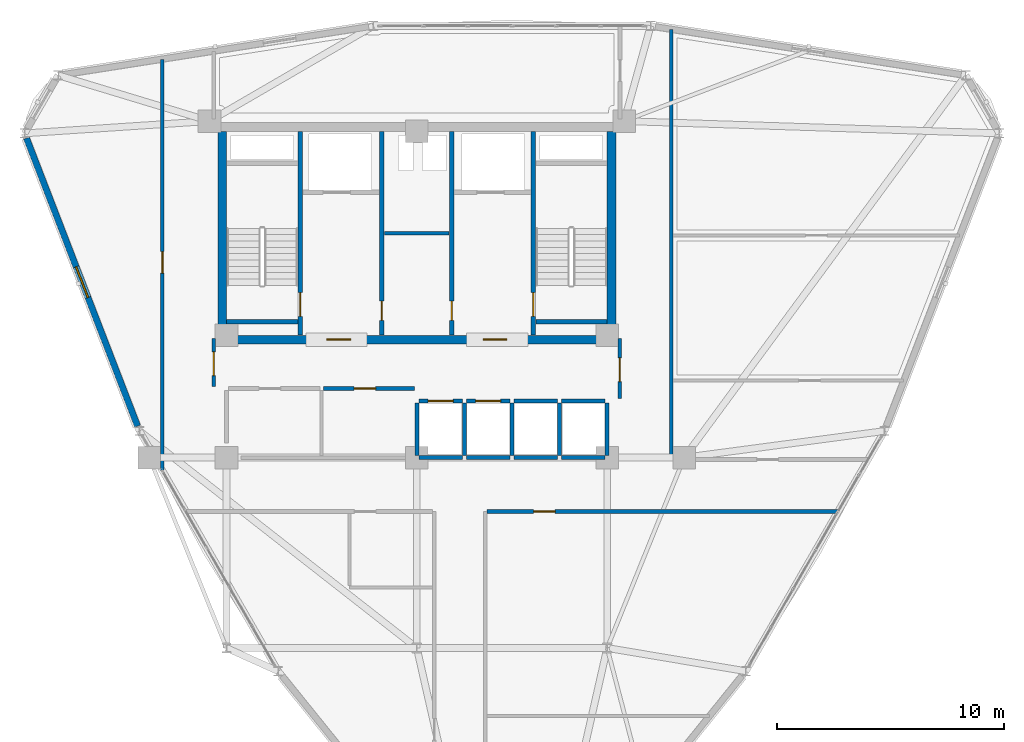
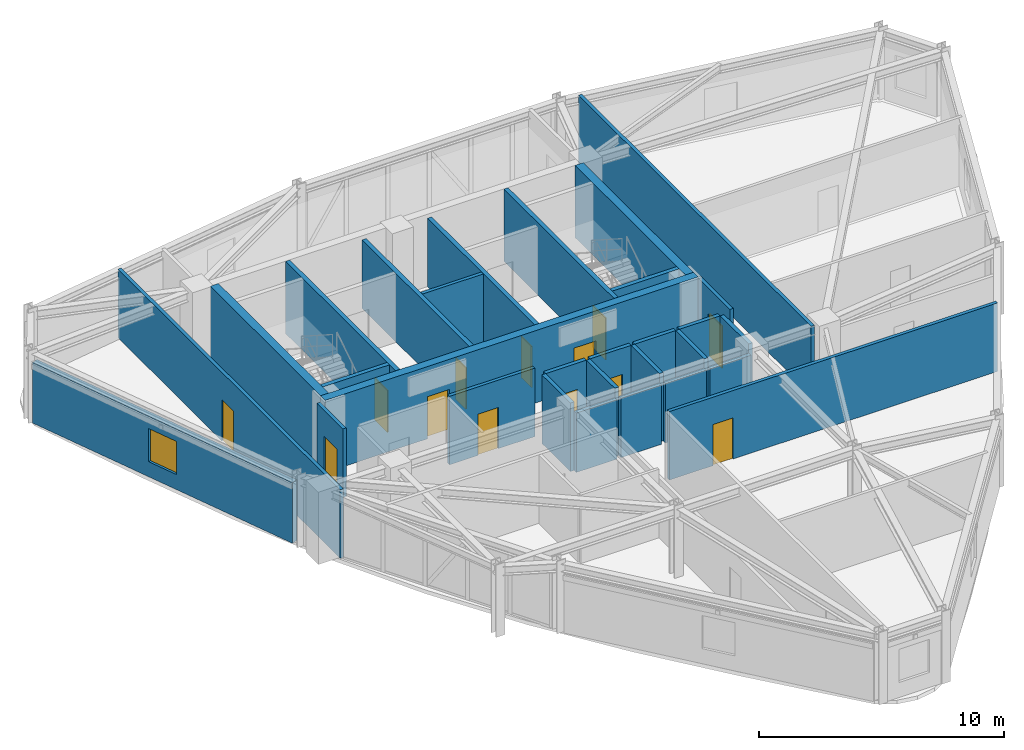
# One storey, part 13 of 16: 30 walls, 13 doors, 1 window, 14 openings.
"""IFC4 building model written with IfcOpenShell, lengths in metres."""

from ifc_helpers import new_model, si_unit, derived_unit, direction, frame, frame_2d, origin, place, context, subcontext, project, spatial, rectangle, extrude, material, layer, layer_set, type_object, element, fill, save


model = new_model("IFC4")

# Units and contexts
model_context = context("Model", 3, precision=1e-05, world=origin(), true_north=direction((0.0, 1.0)))
body_context = subcontext(model_context, "Body", "Model", "MODEL_VIEW")
ifc_project = project(units=[si_unit("LENGTHUNIT", "METRE"), si_unit("AREAUNIT", "SQUARE_METRE"), si_unit("VOLUMEUNIT", "CUBIC_METRE"), si_unit("PLANEANGLEUNIT", "RADIAN"), si_unit("MASSUNIT", "GRAM", prefix="KILO"), derived_unit("THERMALTRANSMITTANCEUNIT", [(si_unit("POWERUNIT", "WATT"), 1), (si_unit("LENGTHUNIT", "METRE"), -2), (si_unit("THERMODYNAMICTEMPERATUREUNIT", "KELVIN"), -1)])], contexts=[model_context])

# Site, building, storey
site_placement = place(None, origin())
site = spatial("IfcSite", under=ifc_project, at=site_placement, CompositionType="ELEMENT")
building_placement = place(site_placement, origin())
building = spatial("IfcBuilding", under=site, at=building_placement, Name="Korsvarv Bourse and Concert Hall", CompositionType="ELEMENT")
storey_placement = place(building_placement, frame((0.0, 0.0, 220.199951171875)))
storey = spatial("IfcBuildingStorey", under=building, at=storey_placement, Name="L57", CompositionType="ELEMENT", Elevation=220.199951171875)

# Wall, openings, doors
ifc_material_1 = material(Name="Concrete C50/60", Category="concrete")
ifc_layer_1 = layer(ifc_material_1, 0.3798828125)
ifc_layer_set_1 = layer_set([ifc_layer_1], Name="Concrete C50/60")
wall_type_1 = type_object("IfcWallType", Name="WL-CORE-380", PredefinedType="SHEAR", material=ifc_layer_set_1)
wall_1_placement = place(storey_placement, frame((27.219970703125, 37.610107421875, 0.0), z_axis=(0.0, 0.0, 1.0), x_axis=(1.0, 0.0, 0.0)))
wall_1 = element("IfcWall", 1, at=wall_1_placement, inside=storey, type_object=wall_type_1, Name="L57 South Core Shear Wall", PredefinedType="SHEAR", context=body_context, shape_type="SweptSolid", body=[
    extrude(rectangle(XDim=17.56005859375, YDim=0.3798828125, at=frame_2d((8.780029296875, 0.0))), origin(), (0.0, 0.0, 1.0), 3.60009765625),
])
opening_1_placement = place(wall_1_placement, frame((4.804931640625, 0.0, 0.0)))
opening_1 = element("IfcOpeningElement", 2, at=opening_1_placement, cuts=wall_1, Name="Opening D-01", PredefinedType="OPENING", context=body_context, shape_type="SweptSolid", body=[
    extrude(rectangle(XDim=1.050048828125, YDim=2.10009765625, at=frame_2d((0.52490234375, 1.050048828125))), frame((0.0, 0.199951171875, 0.0), z_axis=(0.0, -1.0, 0.0), x_axis=(1.0, 0.0, 0.0)), (0.0, 0.0, 1.0), 0.39990234375),
])
opening_2_placement = place(wall_1_placement, frame((11.705078125, 0.0, 0.0)))
opening_2 = element("IfcOpeningElement", 3, at=opening_2_placement, cuts=wall_1, Name="Opening D-01", PredefinedType="OPENING", context=body_context, shape_type="SweptSolid", body=[
    extrude(rectangle(XDim=1.050048828125, YDim=2.10009765625, at=frame_2d((0.52490234375, 1.050048828125))), frame((0.0, 0.199951171875, 0.0), z_axis=(0.0, -1.0, 0.0), x_axis=(1.0, 0.0, 0.0)), (0.0, 0.0, 1.0), 0.39990234375),
])
ifc_material_2 = material(Name="Steel S355 fire door", Category="steel")
door_type_1 = type_object("IfcDoorType", Name="DR-FD60", OperationType="NOTDEFINED", PredefinedType="DOOR", material=ifc_material_2)
door_1_placement = place(opening_1_placement, frame((1.050048828125, 0.0, 0.0), z_axis=(0.0, 0.0, 1.0), x_axis=(-1.0, 0.0, 0.0)))
door_1 = element("IfcDoor", 4, at=door_1_placement, inside=storey, type_object=door_type_1, Name="L57 firefighting lobby fire door DR-L57-FFLW", OperationType="SINGLE_SWING_LEFT", OverallHeight=2.10009765625, OverallWidth=1.050048828125, PredefinedType="DOOR", context=body_context, shape_type="SweptSolid", body=[
    extrude(rectangle(XDim=1.050048828125, YDim=2.10009765625, at=frame_2d((0.52490234375, 1.050048828125))), frame((0.0, 0.02490234375, 0.0), z_axis=(0.0, -1.0, 0.0), x_axis=(1.0, 0.0, 0.0)), (0.0, 0.0, 1.0), 0.050048828125),
])
fill(opening_1, door_1)
door_2_placement = place(opening_2_placement, frame((1.050048828125, 0.0, 0.0), z_axis=(0.0, 0.0, 1.0), x_axis=(-1.0, 0.0, 0.0)))
door_2 = element("IfcDoor", 5, at=door_2_placement, inside=storey, type_object=door_type_1, Name="L57 firefighting lobby fire door DR-L57-FFLE", OperationType="SINGLE_SWING_RIGHT", OverallHeight=2.10009765625, OverallWidth=1.050048828125, PredefinedType="DOOR", context=body_context, shape_type="SweptSolid", body=[
    extrude(rectangle(XDim=1.050048828125, YDim=2.10009765625, at=frame_2d((0.52490234375, 1.050048828125))), frame((0.0, 0.02490234375, 0.0), z_axis=(0.0, -1.0, 0.0), x_axis=(1.0, 0.0, 0.0)), (0.0, 0.0, 1.0), 0.050048828125),
])
fill(opening_2, door_2)

# Walls
for number, where, z_axis, x_axis, name in (
    (6, (27.409912109375, 37.800048828125, 0.0), (0.0, 0.0, 1.0), (0.0, 1.0, 0.0), "L57 West Core Shear Wall"),
    (7, (44.590087890625, 37.800048828125, 0.0), (0.0, 0.0, 1.0), (0.0, 1.0, 0.0), "L57 East Core Shear Wall"),
):
    element("IfcWall", number, at=place(storey_placement, frame(where, z_axis=z_axis, x_axis=x_axis)), inside=storey, type_object=wall_type_1, Name=name, PredefinedType="SHEAR", context=body_context, shape_type="SweptSolid", body=[
        extrude(rectangle(XDim=9.0, YDim=0.3798828125, at=frame_2d((4.5, 0.0))), origin(), (0.0, 0.0, 1.0), 3.60009765625),
    ])

# Wall, opening, door
wall_2_placement = place(storey_placement, frame((30.860107421875, 37.81005859375, 0.0), z_axis=(0.0, 0.0, 1.0), x_axis=(0.0, 1.0, 0.0)))
wall_2 = element("IfcWall", 8, at=wall_2_placement, inside=storey, type_object=wall_type_1, Name="L57 stair shaft structural wall W-L57-ST1-E", PredefinedType="SHEAR", context=body_context, shape_type="SweptSolid", body=[
    extrude(rectangle(XDim=8.97998046875, YDim=0.199951171875, at=frame_2d((4.489990234375, 0.0))), origin(), (0.0, 0.0, 1.0), 3.60009765625),
])
opening_3_placement = place(wall_2_placement, frame((0.820068359375, 0.0, 0.0)))
opening_3 = element("IfcOpeningElement", 9, at=opening_3_placement, cuts=wall_2, Name="Opening D-01", PredefinedType="OPENING", context=body_context, shape_type="SweptSolid", body=[
    extrude(rectangle(XDim=1.050048828125, YDim=2.10009765625, at=frame_2d((0.52490234375, 1.050048828125))), frame((0.0, 0.10986328125, 0.0), z_axis=(0.0, -1.0, 0.0), x_axis=(1.0, 0.0, 0.0)), (0.0, 0.0, 1.0), 0.219970703125),
])
door_3_placement = place(opening_3_placement, origin())
door_3 = element("IfcDoor", 10, at=door_3_placement, inside=storey, type_object=door_type_1, Name="L57 interior door DR-L57-ST1", OperationType="SINGLE_SWING_RIGHT", OverallHeight=2.10009765625, OverallWidth=1.050048828125, PredefinedType="DOOR", context=body_context, shape_type="SweptSolid", body=[
    extrude(rectangle(XDim=1.050048828125, YDim=2.10009765625, at=frame_2d((0.52490234375, 1.050048828125))), frame((0.0, 0.02490234375, 0.0), z_axis=(0.0, -1.0, 0.0), x_axis=(1.0, 0.0, 0.0)), (0.0, 0.0, 1.0), 0.050048828125),
])
fill(opening_3, door_3)

# Wall
wall_3_placement = place(storey_placement, frame((27.610107421875, 38.39990234375, 0.0), z_axis=(0.0, 0.0, 1.0), x_axis=(1.0, 0.0, 0.0)))
element("IfcWall", 11, at=wall_3_placement, inside=storey, type_object=wall_type_1, Name="L57 stair shaft structural wall W-L57-ST1-S", PredefinedType="SHEAR", context=body_context, shape_type="SweptSolid", body=[
    extrude(rectangle(XDim=3.139892578125, YDim=0.199951171875, at=frame_2d((1.56982421875, 0.0))), origin(), (0.0, 0.0, 1.0), 3.60009765625),
])

# Wall, opening, door
wall_4_placement = place(storey_placement, frame((41.139892578125, 37.81005859375, 0.0), z_axis=(0.0, 0.0, 1.0), x_axis=(0.0, 1.0, 0.0)))
wall_4 = element("IfcWall", 12, at=wall_4_placement, inside=storey, type_object=wall_type_1, Name="L57 stair shaft structural wall W-L57-ST2-W", PredefinedType="SHEAR", context=body_context, shape_type="SweptSolid", body=[
    extrude(rectangle(XDim=8.97998046875, YDim=0.199951171875, at=frame_2d((4.489990234375, 0.0))), origin(), (0.0, 0.0, 1.0), 3.60009765625),
])
opening_4_placement = place(wall_4_placement, frame((0.820068359375, 0.0, 0.0)))
opening_4 = element("IfcOpeningElement", 13, at=opening_4_placement, cuts=wall_4, Name="Opening D-01", PredefinedType="OPENING", context=body_context, shape_type="SweptSolid", body=[
    extrude(rectangle(XDim=1.050048828125, YDim=2.10009765625, at=frame_2d((0.52490234375, 1.050048828125))), frame((0.0, 0.10986328125, 0.0), z_axis=(0.0, -1.0, 0.0), x_axis=(1.0, 0.0, 0.0)), (0.0, 0.0, 1.0), 0.219970703125),
])
door_4_placement = place(opening_4_placement, frame((1.050048828125, 0.0, 0.0), z_axis=(0.0, 0.0, 1.0), x_axis=(-1.0, 0.0, 0.0)))
door_4 = element("IfcDoor", 14, at=door_4_placement, inside=storey, type_object=door_type_1, Name="L57 interior door DR-L57-ST2", OperationType="SINGLE_SWING_LEFT", OverallHeight=2.10009765625, OverallWidth=1.050048828125, PredefinedType="DOOR", context=body_context, shape_type="SweptSolid", body=[
    extrude(rectangle(XDim=1.050048828125, YDim=2.10009765625, at=frame_2d((0.52490234375, 1.050048828125))), frame((0.0, 0.02490234375, 0.0), z_axis=(0.0, -1.0, 0.0), x_axis=(1.0, 0.0, 0.0)), (0.0, 0.0, 1.0), 0.050048828125),
])
fill(opening_4, door_4)

# Wall
wall_5_placement = place(storey_placement, frame((41.25, 38.39990234375, 0.0), z_axis=(0.0, 0.0, 1.0), x_axis=(1.0, 0.0, 0.0)))
element("IfcWall", 15, at=wall_5_placement, inside=storey, type_object=wall_type_1, Name="L57 stair shaft structural wall W-L57-ST2-S", PredefinedType="SHEAR", context=body_context, shape_type="SweptSolid", body=[
    extrude(rectangle(XDim=3.139892578125, YDim=0.199951171875, at=frame_2d((1.56982421875, 0.0))), origin(), (0.0, 0.0, 1.0), 3.60009765625),
])

# Wall, opening, window
ifc_material_3 = material(Name="Precast concrete C45/55 with fluted terracotta pier", Category="concrete")
ifc_layer_2 = layer(ifc_material_3, 0.280029296875)
ifc_layer_set_2 = layer_set([ifc_layer_2], Name="Precast concrete C45/55 with fluted terracotta pier")
wall_type_2 = type_object("IfcWallType", Name="WL-EXT-TC2", PredefinedType="SOLIDWALL", material=ifc_layer_set_2)
wall_6_placement = place(storey_placement, frame((18.775146484375, 46.495361328125, 0.0), z_axis=(0.0, 0.0, 1.0), x_axis=(0.359956541612, -0.93296907138, 0.0)))
wall_6 = element("IfcWall", 16, at=wall_6_placement, inside=storey, type_object=wall_type_2, Name="L57 terracotta exterior wall EW-L57-B06", PredefinedType="SOLIDWALL", context=body_context, shape_type="SweptSolid", body=[
    extrude(rectangle(XDim=13.621337890625, YDim=0.280029296875, at=frame_2d((6.810546875, 0.0))), origin(), (0.0, 0.0, 1.0), 3.02001953125),
])
opening_5_placement = place(wall_6_placement, frame((6.085693359375, 0.0, 0.75)))
opening_5 = element("IfcOpeningElement", 17, at=opening_5_placement, cuts=wall_6, Name="Opening W-02", PredefinedType="OPENING", context=body_context, shape_type="SweptSolid", body=[
    extrude(rectangle(XDim=1.449951171875, YDim=1.64990234375, at=frame_2d((0.72509765625, 0.824951171875))), frame((0.0, 0.14990234375, 0.0), z_axis=(0.0, -1.0, 0.0), x_axis=(1.0, 0.0, 0.0)), (0.0, 0.0, 1.0), 0.300048828125),
])
ifc_material_4 = material(Name="Thermally broken aluminium frame with triple low-E glass", Category="glass")
window_type = type_object("IfcWindowType", Name="WIN-TW2", PartitioningType="SINGLE_PANEL", PredefinedType="WINDOW", material=ifc_material_4)
window_placement = place(opening_5_placement, origin())
window = element("IfcWindow", 18, at=window_placement, inside=storey, type_object=window_type, Name="L57 punched facade window W-02", OverallHeight=1.64990234375, OverallWidth=1.449951171875, PartitioningType="SINGLE_PANEL", PredefinedType="WINDOW", context=body_context, shape_type="SweptSolid", body=[
    extrude(rectangle(XDim=1.449951171875, YDim=1.64990234375, at=frame_2d((0.72509765625, 0.824951171875))), frame((0.0, 0.030029296875, 0.0), z_axis=(0.0, -1.0, 0.0), x_axis=(1.0, 0.0, 0.0)), (0.0, 0.0, 1.0), 0.06005859375),
])
fill(opening_5, window)

# Wall, opening, door
ifc_material_5 = material(Name="Reinforced concrete blockwork C35/45 fire wall", Category="concrete")
ifc_layer_3 = layer(ifc_material_5, 0.199951171875)
ifc_layer_set_3 = layer_set([ifc_layer_3], Name="Reinforced concrete blockwork C35/45 fire wall")
wall_type_3 = type_object("IfcWallType", Name="WL-INT-EI120", PredefinedType="PARTITIONING", material=ifc_layer_set_3)
wall_7_placement = place(storey_placement, frame((34.4599609375, 37.81005859375, 0.0), z_axis=(0.0, 0.0, 1.0), x_axis=(0.0, 1.0, 0.0)))
wall_7 = element("IfcWall", 19, at=wall_7_placement, inside=storey, type_object=wall_type_3, Name="L57 interior partition wall W-L57-CSB-W", PredefinedType="PARTITIONING", context=body_context, shape_type="SweptSolid", body=[
    extrude(rectangle(XDim=8.97998046875, YDim=0.199951171875, at=frame_2d((4.489990234375, 0.0))), origin(), (0.0, 0.0, 1.0), 3.41015625),
])
opening_6_placement = place(wall_7_placement, frame((0.64990234375, 0.0, 0.0)))
opening_6 = element("IfcOpeningElement", 20, at=opening_6_placement, cuts=wall_7, Name="Opening D-05", PredefinedType="OPENING", context=body_context, shape_type="SweptSolid", body=[
    extrude(rectangle(XDim=0.85009765625, YDim=2.050048828125, at=frame_2d((0.425048828125, 1.02490234375))), frame((0.0, 0.10986328125, 0.0), z_axis=(0.0, -1.0, 0.0), x_axis=(1.0, 0.0, 0.0)), (0.0, 0.0, 1.0), 0.219970703125),
])
door_type_2 = type_object("IfcDoorType", Name="DR-FD60-850X2050", OperationType="NOTDEFINED", PredefinedType="DOOR", material=ifc_material_2)
door_5_placement = place(opening_6_placement, frame((0.85009765625, 0.0, 0.0), z_axis=(0.0, 0.0, 1.0), x_axis=(-1.0, 0.0, 0.0)))
door_5 = element("IfcDoor", 21, at=door_5_placement, inside=storey, type_object=door_type_2, Name="L57 interior door DR-L57-CSB1", OperationType="SINGLE_SWING_RIGHT", OverallHeight=2.050048828125, OverallWidth=0.85009765625, PredefinedType="DOOR", context=body_context, shape_type="SweptSolid", body=[
    extrude(rectangle(XDim=0.85009765625, YDim=2.050048828125, at=frame_2d((0.425048828125, 1.02490234375))), frame((0.0, 0.02490234375, 0.0), z_axis=(0.0, -1.0, 0.0), x_axis=(1.0, 0.0, 0.0)), (0.0, 0.0, 1.0), 0.050048828125),
])
fill(opening_6, door_5)

wall_8_placement = place(storey_placement, frame((37.5400390625, 37.81005859375, 0.0), z_axis=(0.0, 0.0, 1.0), x_axis=(0.0, 1.0, 0.0)))
wall_8 = element("IfcWall", 22, at=wall_8_placement, inside=storey, type_object=wall_type_3, Name="L57 interior partition wall W-L57-CSB-E", PredefinedType="PARTITIONING", context=body_context, shape_type="SweptSolid", body=[
    extrude(rectangle(XDim=8.97998046875, YDim=0.199951171875, at=frame_2d((4.489990234375, 0.0))), origin(), (0.0, 0.0, 1.0), 3.41015625),
])
opening_7_placement = place(wall_8_placement, frame((0.64990234375, 0.0, 0.0)))
opening_7 = element("IfcOpeningElement", 23, at=opening_7_placement, cuts=wall_8, Name="Opening D-05", PredefinedType="OPENING", context=body_context, shape_type="SweptSolid", body=[
    extrude(rectangle(XDim=0.85009765625, YDim=2.050048828125, at=frame_2d((0.425048828125, 1.02490234375))), frame((0.0, 0.10986328125, 0.0), z_axis=(0.0, -1.0, 0.0), x_axis=(1.0, 0.0, 0.0)), (0.0, 0.0, 1.0), 0.219970703125),
])
door_6_placement = place(opening_7_placement, origin())
door_6 = element("IfcDoor", 24, at=door_6_placement, inside=storey, type_object=door_type_2, Name="L57 interior door DR-L57-CSB2", OperationType="SINGLE_SWING_LEFT", OverallHeight=2.050048828125, OverallWidth=0.85009765625, PredefinedType="DOOR", context=body_context, shape_type="SweptSolid", body=[
    extrude(rectangle(XDim=0.85009765625, YDim=2.050048828125, at=frame_2d((0.425048828125, 1.02490234375))), frame((0.0, 0.02490234375, 0.0), z_axis=(0.0, -1.0, 0.0), x_axis=(1.0, 0.0, 0.0)), (0.0, 0.0, 1.0), 0.050048828125),
])
fill(opening_7, door_6)

# Wall
ifc_material_6 = material(Name="Double-stud fire-rated acoustic partition", Category="gypsum")
ifc_layer_4 = layer(ifc_material_6, 0.159912109375)
ifc_layer_set_4 = layer_set([ifc_layer_4], Name="Double-stud fire-rated acoustic partition")
wall_type_4 = type_object("IfcWallType", Name="WL-INT-EI60", PredefinedType="PARTITIONING", material=ifc_layer_set_4)
wall_9_placement = place(storey_placement, frame((34.570068359375, 42.300048828125, 0.0), z_axis=(0.0, 0.0, 1.0), x_axis=(1.0, 0.0, 0.0)))
element("IfcWall", 25, at=wall_9_placement, inside=storey, type_object=wall_type_4, Name="L57 interior partition wall W-L57-K1", PredefinedType="PARTITIONING", context=body_context, shape_type="SweptSolid", body=[
    extrude(rectangle(XDim=2.85986328125, YDim=0.159912109375, at=frame_2d((1.429931640625, 0.0))), origin(), (0.0, 0.0, 1.0), 3.41015625),
])

# Wall, opening, door
wall_10_placement = place(storey_placement, frame((31.8798828125, 35.449951171875, 0.0), z_axis=(0.0, 0.0, 1.0), x_axis=(1.0, 0.0, 0.0)))
wall_10 = element("IfcWall", 26, at=wall_10_placement, inside=storey, type_object=wall_type_4, Name="L57 interior partition wall W-L57-FRD-N2", PredefinedType="PARTITIONING", context=body_context, shape_type="SweptSolid", body=[
    extrude(rectangle(XDim=4.02001953125, YDim=0.159912109375, at=frame_2d((2.010009765625, 0.0))), origin(), (0.0, 0.0, 1.0), 3.41015625),
])
opening_8_placement = place(wall_10_placement, frame((1.35009765625, 0.0, 0.0)))
opening_8 = element("IfcOpeningElement", 27, at=opening_8_placement, cuts=wall_10, Name="Opening D-03", PredefinedType="OPENING", context=body_context, shape_type="SweptSolid", body=[
    extrude(rectangle(XDim=0.949951171875, YDim=2.050048828125, at=frame_2d((0.47509765625, 1.02490234375))), frame((0.0, 0.08984375, 0.0), z_axis=(0.0, -1.0, 0.0), x_axis=(1.0, 0.0, 0.0)), (0.0, 0.0, 1.0), 0.179931640625),
])
ifc_material_7 = material(Name="Nordic oak acoustic office door", Category="wood")
door_type_3 = type_object("IfcDoorType", Name="DR-INT-1", OperationType="NOTDEFINED", PredefinedType="DOOR", material=ifc_material_7)
door_7_placement = place(opening_8_placement, origin())
door_7 = element("IfcDoor", 28, at=door_7_placement, inside=storey, type_object=door_type_3, Name="L57 interior door DR-L57-FRDN2", OperationType="SINGLE_SWING_LEFT", OverallHeight=2.050048828125, OverallWidth=0.949951171875, PredefinedType="DOOR", context=body_context, shape_type="SweptSolid", body=[
    extrude(rectangle(XDim=0.949951171875, YDim=2.050048828125, at=frame_2d((0.47509765625, 1.02490234375))), frame((0.0, 0.02490234375, 0.0), z_axis=(0.0, -1.0, 0.0), x_axis=(1.0, 0.0, 0.0)), (0.0, 0.0, 1.0), 0.050048828125),
])
fill(opening_8, door_7)

wall_11_placement = place(storey_placement, frame((27.0400390625, 35.5400390625, 0.0), z_axis=(0.0, 0.0, 1.0), x_axis=(0.0, 1.0, 0.0)))
wall_11 = element("IfcWall", 29, at=wall_11_placement, inside=storey, type_object=wall_type_4, Name="L57 interior partition wall W-L57-LOB-WL", PredefinedType="PARTITIONING", context=body_context, shape_type="SweptSolid", body=[
    extrude(rectangle(XDim=2.10986328125, YDim=0.159912109375, at=frame_2d((1.054931640625, 0.0))), origin(), (0.0, 0.0, 1.0), 3.41015625),
])
opening_9_placement = place(wall_11_placement, frame((0.47998046875, 0.0, 0.0)))
opening_9 = element("IfcOpeningElement", 30, at=opening_9_placement, cuts=wall_11, Name="Opening D-01", PredefinedType="OPENING", context=body_context, shape_type="SweptSolid", body=[
    extrude(rectangle(XDim=1.050048828125, YDim=2.10009765625, at=frame_2d((0.52490234375, 1.050048828125))), frame((0.0, 0.08984375, 0.0), z_axis=(0.0, -1.0, 0.0), x_axis=(1.0, 0.0, 0.0)), (0.0, 0.0, 1.0), 0.179931640625),
])
door_8_placement = place(opening_9_placement, frame((1.050048828125, 0.0, 0.0), z_axis=(0.0, 0.0, 1.0), x_axis=(-1.0, 0.0, 0.0)))
door_8 = element("IfcDoor", 31, at=door_8_placement, inside=storey, type_object=door_type_1, Name="L57 interior door DR-L57-LOBW", OperationType="SINGLE_SWING_RIGHT", OverallHeight=2.10009765625, OverallWidth=1.050048828125, PredefinedType="DOOR", context=body_context, shape_type="SweptSolid", body=[
    extrude(rectangle(XDim=1.050048828125, YDim=2.10009765625, at=frame_2d((0.52490234375, 1.050048828125))), frame((0.0, 0.02490234375, 0.0), z_axis=(0.0, -1.0, 0.0), x_axis=(1.0, 0.0, 0.0)), (0.0, 0.0, 1.0), 0.050048828125),
])
fill(opening_9, door_8)

wall_12_placement = place(storey_placement, frame((44.9599609375, 35.0, 0.0), z_axis=(0.0, 0.0, 1.0), x_axis=(0.0, 1.0, 0.0)))
wall_12 = element("IfcWall", 32, at=wall_12_placement, inside=storey, type_object=wall_type_4, Name="L57 interior partition wall W-L57-LOB-E", PredefinedType="PARTITIONING", context=body_context, shape_type="SweptSolid", body=[
    extrude(rectangle(XDim=2.64990234375, YDim=0.159912109375, at=frame_2d((1.324951171875, 0.0))), origin(), (0.0, 0.0, 1.0), 3.41015625),
])
opening_10_placement = place(wall_12_placement, frame((0.75, 0.0, 0.0)))
opening_10 = element("IfcOpeningElement", 33, at=opening_10_placement, cuts=wall_12, Name="Opening D-01", PredefinedType="OPENING", context=body_context, shape_type="SweptSolid", body=[
    extrude(rectangle(XDim=1.050048828125, YDim=2.10009765625, at=frame_2d((0.52490234375, 1.050048828125))), frame((0.0, 0.08984375, 0.0), z_axis=(0.0, -1.0, 0.0), x_axis=(1.0, 0.0, 0.0)), (0.0, 0.0, 1.0), 0.179931640625),
])
door_9_placement = place(opening_10_placement, origin())
door_9 = element("IfcDoor", 34, at=door_9_placement, inside=storey, type_object=door_type_1, Name="L57 interior door DR-L57-LOBE", OperationType="SINGLE_SWING_LEFT", OverallHeight=2.10009765625, OverallWidth=1.050048828125, PredefinedType="DOOR", context=body_context, shape_type="SweptSolid", body=[
    extrude(rectangle(XDim=1.050048828125, YDim=2.10009765625, at=frame_2d((0.52490234375, 1.050048828125))), frame((0.0, 0.02490234375, 0.0), z_axis=(0.0, -1.0, 0.0), x_axis=(1.0, 0.0, 0.0)), (0.0, 0.0, 1.0), 0.050048828125),
])
fill(opening_10, door_9)

# Wall
wall_13_placement = place(storey_placement, frame((47.22509765625, 32.31005859375, 0.0), z_axis=(0.0, 0.0, 1.0), x_axis=(0.0, 1.0, 0.0)))
element("IfcWall", 35, at=wall_13_placement, inside=storey, type_object=wall_type_4, Name="L57 interior partition wall W-L57-TCOR-01", PredefinedType="PARTITIONING", context=body_context, shape_type="SweptSolid", body=[
    extrude(rectangle(XDim=18.97802734375, YDim=0.159912109375, at=frame_2d((9.489013671875, 0.0))), origin(), (0.0, 0.0, 1.0), 3.41015625),
])

# Wall, opening, door
wall_14_placement = place(storey_placement, frame((24.77490234375, 31.8369140625, 0.0), z_axis=(0.0, 0.0, 1.0), x_axis=(0.0, 1.0, 0.0)))
wall_14 = element("IfcWall", 36, at=wall_14_placement, inside=storey, type_object=wall_type_4, Name="L57 interior partition wall W-L57-TCOR-02", PredefinedType="PARTITIONING", context=body_context, shape_type="SweptSolid", body=[
    extrude(rectangle(XDim=18.135498046875, YDim=0.159912109375, at=frame_2d((9.06787109375, 0.0))), origin(), (0.0, 0.0, 1.0), 3.41015625),
])
opening_11_placement = place(wall_14_placement, frame((8.7041015625, 0.0, 0.0)))
opening_11 = element("IfcOpeningElement", 37, at=opening_11_placement, cuts=wall_14, Name="Opening D-02", PredefinedType="OPENING", context=body_context, shape_type="SweptSolid", body=[
    extrude(rectangle(XDim=0.949951171875, YDim=2.050048828125, at=frame_2d((0.47509765625, 1.02490234375))), frame((0.0, 0.08984375, 0.0), z_axis=(0.0, -1.0, 0.0), x_axis=(1.0, 0.0, 0.0)), (0.0, 0.0, 1.0), 0.179931640625),
])
ifc_material_8 = material(Name="Timber and steel acoustic fire door", Category="wood")
door_type_4 = type_object("IfcDoorType", Name="DR-FD30", OperationType="NOTDEFINED", PredefinedType="DOOR", material=ifc_material_8)
door_10_placement = place(opening_11_placement, origin())
door_10 = element("IfcDoor", 38, at=door_10_placement, inside=storey, type_object=door_type_4, Name="L57 interior door DR-L57-TCOR-EC68", OperationType="SINGLE_SWING_RIGHT", OverallHeight=2.050048828125, OverallWidth=0.949951171875, PredefinedType="DOOR", context=body_context, shape_type="SweptSolid", body=[
    extrude(rectangle(XDim=0.949951171875, YDim=2.050048828125, at=frame_2d((0.47509765625, 1.02490234375))), frame((0.0, 0.02490234375, 0.0), z_axis=(0.0, -1.0, 0.0), x_axis=(1.0, 0.0, 0.0)), (0.0, 0.0, 1.0), 0.050048828125),
])
fill(opening_11, door_10)

wall_15_placement = place(storey_placement, frame((39.10693359375, 30.02490234375, 0.0), z_axis=(0.0, 0.0, 1.0), x_axis=(1.0, 0.0, 0.0)))
wall_15 = element("IfcWall", 39, at=wall_15_placement, inside=storey, type_object=wall_type_4, Name="L57 interior partition wall W-L57-TCOR-05", PredefinedType="PARTITIONING", context=body_context, shape_type="SweptSolid", body=[
    extrude(rectangle(XDim=15.46337890625, YDim=0.159912109375, at=frame_2d((7.731689453125, 0.0))), origin(), (0.0, 0.0, 1.0), 3.41015625),
])
opening_12_placement = place(wall_15_placement, frame((2.05078125, 0.0, 0.0)))
opening_12 = element("IfcOpeningElement", 40, at=opening_12_placement, cuts=wall_15, Name="Opening D-02", PredefinedType="OPENING", context=body_context, shape_type="SweptSolid", body=[
    extrude(rectangle(XDim=0.949951171875, YDim=2.050048828125, at=frame_2d((0.47509765625, 1.02490234375))), frame((0.0, 0.08984375, 0.0), z_axis=(0.0, -1.0, 0.0), x_axis=(1.0, 0.0, 0.0)), (0.0, 0.0, 1.0), 0.179931640625),
])
door_11_placement = place(opening_12_placement, origin())
door_11 = element("IfcDoor", 41, at=door_11_placement, inside=storey, type_object=door_type_4, Name="L57 interior door DR-L57-TCOR-EC25", OperationType="SINGLE_SWING_LEFT", OverallHeight=2.050048828125, OverallWidth=0.949951171875, PredefinedType="DOOR", context=body_context, shape_type="SweptSolid", body=[
    extrude(rectangle(XDim=0.949951171875, YDim=2.050048828125, at=frame_2d((0.47509765625, 1.02490234375))), frame((0.0, 0.02490234375, 0.0), z_axis=(0.0, -1.0, 0.0), x_axis=(1.0, 0.0, 0.0)), (0.0, 0.0, 1.0), 0.050048828125),
])
fill(opening_12, door_11)

ifc_material_9 = material(Name="Gypsum-clad autoclaved concrete shaft wall C30/37", Category="concrete")
ifc_layer_5 = layer(ifc_material_9, 0.179931640625)
ifc_layer_set_5 = layer_set([ifc_layer_5], Name="Gypsum-clad autoclaved concrete shaft wall C30/37")
wall_type_5 = type_object("IfcWallType", Name="WL-INT-EI90", PredefinedType="PARTITIONING", material=ifc_layer_set_5)
wall_16_placement = place(storey_placement, frame((36.090087890625, 34.89990234375, 0.0), z_axis=(0.0, 0.0, 1.0), x_axis=(1.0, 0.0, 0.0)))
wall_16 = element("IfcWall", 42, at=wall_16_placement, inside=storey, type_object=wall_type_5, Name="L57 interior partition wall W-L57-SHFN-PH1", PredefinedType="PARTITIONING", context=body_context, shape_type="SweptSolid", body=[
    extrude(rectangle(XDim=1.919921875, YDim=0.179931640625, at=frame_2d((0.9599609375, 0.0))), origin(), (0.0, 0.0, 1.0), 3.41015625),
])
opening_13_placement = place(wall_16_placement, frame((0.409912109375, 0.0, 0.0)))
opening_13 = element("IfcOpeningElement", 43, at=opening_13_placement, cuts=wall_16, Name="Opening LD-2", PredefinedType="OPENING", context=body_context, shape_type="SweptSolid", body=[
    extrude(rectangle(XDim=1.10009765625, YDim=2.10009765625, at=frame_2d((0.550048828125, 1.050048828125))), frame((0.0, 0.10009765625, 0.0), z_axis=(0.0, -1.0, 0.0), x_axis=(1.0, 0.0, 0.0)), (0.0, 0.0, 1.0), 0.199951171875),
])
ifc_material_10 = material(Name="Brushed stainless Steel S355 lift landing door", Category="steel")
door_type_5 = type_object("IfcDoorType", Name="DR-LIFT-P", OperationType="DOUBLE_DOOR_SLIDING", PredefinedType="DOOR", material=ifc_material_10)
door_12_placement = place(opening_13_placement, origin())
door_12 = element("IfcDoor", 44, at=door_12_placement, inside=storey, type_object=door_type_5, Name="L57 lift sliding landing door LD-L57-PH1", OperationType="DOUBLE_DOOR_SLIDING", OverallHeight=2.10009765625, OverallWidth=1.10009765625, PredefinedType="DOOR", context=body_context, shape_type="SweptSolid", body=[
    extrude(rectangle(XDim=1.10009765625, YDim=2.10009765625, at=frame_2d((0.550048828125, 1.050048828125))), frame((0.0, 0.02490234375, 0.0), z_axis=(0.0, -1.0, 0.0), x_axis=(1.0, 0.0, 0.0)), (0.0, 0.0, 1.0), 0.050048828125),
])
fill(opening_13, door_12)

# Walls
wall_17_placement = place(storey_placement, frame((36.090087890625, 32.39990234375, 0.0), z_axis=(0.0, 0.0, 1.0), x_axis=(1.0, 0.0, 0.0)))
element("IfcWall", 45, at=wall_17_placement, inside=storey, type_object=wall_type_5, Name="L57 interior partition wall W-L57-SHFS-PH1", PredefinedType="PARTITIONING", context=body_context, shape_type="SweptSolid", body=[
    extrude(rectangle(XDim=1.919921875, YDim=0.179931640625, at=frame_2d((0.9599609375, 0.0))), origin(), (0.0, 0.0, 1.0), 2.9599609375),
])
wall_18_placement = place(storey_placement, frame((36.0, 32.489990234375, 0.0), z_axis=(0.0, 0.0, 1.0), x_axis=(0.0, 1.0, 0.0)))
element("IfcWall", 46, at=wall_18_placement, inside=storey, type_object=wall_type_5, Name="L57 interior partition wall W-L57-SHFW-PH1", PredefinedType="PARTITIONING", context=body_context, shape_type="SweptSolid", body=[
    extrude(rectangle(XDim=2.320068359375, YDim=0.179931640625, at=frame_2d((1.16015625, 0.0))), origin(), (0.0, 0.0, 1.0), 3.41015625),
])

# Wall, opening, door
wall_19_placement = place(storey_placement, frame((38.18994140625, 34.89990234375, 0.0), z_axis=(0.0, 0.0, 1.0), x_axis=(1.0, 0.0, 0.0)))
wall_19 = element("IfcWall", 47, at=wall_19_placement, inside=storey, type_object=wall_type_5, Name="L57 interior partition wall W-L57-SHFN-PH2", PredefinedType="PARTITIONING", context=body_context, shape_type="SweptSolid", body=[
    extrude(rectangle(XDim=1.920166015625, YDim=0.179931640625, at=frame_2d((0.9599609375, 0.0))), origin(), (0.0, 0.0, 1.0), 3.41015625),
])
opening_14_placement = place(wall_19_placement, frame((0.409912109375, 0.0, 0.0)))
opening_14 = element("IfcOpeningElement", 48, at=opening_14_placement, cuts=wall_19, Name="Opening LD-2", PredefinedType="OPENING", context=body_context, shape_type="SweptSolid", body=[
    extrude(rectangle(XDim=1.10009765625, YDim=2.10009765625, at=frame_2d((0.550048828125, 1.050048828125))), frame((0.0, 0.10009765625, 0.0), z_axis=(0.0, -1.0, 0.0), x_axis=(1.0, 0.0, 0.0)), (0.0, 0.0, 1.0), 0.199951171875),
])
door_13_placement = place(opening_14_placement, origin())
door_13 = element("IfcDoor", 49, at=door_13_placement, inside=storey, type_object=door_type_5, Name="L57 lift sliding landing door LD-L57-PH2", OperationType="DOUBLE_DOOR_SLIDING", OverallHeight=2.10009765625, OverallWidth=1.10009765625, PredefinedType="DOOR", context=body_context, shape_type="SweptSolid", body=[
    extrude(rectangle(XDim=1.10009765625, YDim=2.10009765625, at=frame_2d((0.550048828125, 1.050048828125))), frame((0.0, 0.02490234375, 0.0), z_axis=(0.0, -1.0, 0.0), x_axis=(1.0, 0.0, 0.0)), (0.0, 0.0, 1.0), 0.050048828125),
])
fill(opening_14, door_13)

# Walls
wall_20_placement = place(storey_placement, frame((38.18994140625, 32.39990234375, 0.0), z_axis=(0.0, 0.0, 1.0), x_axis=(1.0, 0.0, 0.0)))
element("IfcWall", 50, at=wall_20_placement, inside=storey, type_object=wall_type_5, Name="L57 interior partition wall W-L57-SHFS-PH2", PredefinedType="PARTITIONING", context=body_context, shape_type="SweptSolid", body=[
    extrude(rectangle(XDim=1.920166015625, YDim=0.179931640625, at=frame_2d((0.9599609375, 0.0))), origin(), (0.0, 0.0, 1.0), 2.9599609375),
])
wall_21_placement = place(storey_placement, frame((38.10009765625, 32.489990234375, 0.0), z_axis=(0.0, 0.0, 1.0), x_axis=(0.0, 1.0, 0.0)))
element("IfcWall", 51, at=wall_21_placement, inside=storey, type_object=wall_type_5, Name="L57 interior partition wall W-L57-SHFW-PH2", PredefinedType="PARTITIONING", context=body_context, shape_type="SweptSolid", body=[
    extrude(rectangle(XDim=2.320068359375, YDim=0.179931640625, at=frame_2d((1.16015625, 0.0))), origin(), (0.0, 0.0, 1.0), 3.41015625),
])
wall_22_placement = place(storey_placement, frame((40.2900390625, 34.89990234375, 0.0), z_axis=(0.0, 0.0, 1.0), x_axis=(1.0, 0.0, 0.0)))
element("IfcWall", 52, at=wall_22_placement, inside=storey, type_object=wall_type_5, Name="L57 interior partition wall W-L57-SHFN-PO1", PredefinedType="PARTITIONING", context=body_context, shape_type="SweptSolid", body=[
    extrude(rectangle(XDim=1.919921875, YDim=0.179931640625, at=frame_2d((0.9599609375, 0.0))), origin(), (0.0, 0.0, 1.0), 3.41015625),
])
wall_23_placement = place(storey_placement, frame((40.2900390625, 32.39990234375, 0.0), z_axis=(0.0, 0.0, 1.0), x_axis=(1.0, 0.0, 0.0)))
element("IfcWall", 53, at=wall_23_placement, inside=storey, type_object=wall_type_5, Name="L57 interior partition wall W-L57-SHFS-PO1", PredefinedType="PARTITIONING", context=body_context, shape_type="SweptSolid", body=[
    extrude(rectangle(XDim=1.919921875, YDim=0.179931640625, at=frame_2d((0.9599609375, 0.0))), origin(), (0.0, 0.0, 1.0), 2.9599609375),
])
wall_24_placement = place(storey_placement, frame((40.199951171875, 32.489990234375, 0.0), z_axis=(0.0, 0.0, 1.0), x_axis=(0.0, 1.0, 0.0)))
element("IfcWall", 54, at=wall_24_placement, inside=storey, type_object=wall_type_5, Name="L57 interior partition wall W-L57-SHFW-PO1", PredefinedType="PARTITIONING", context=body_context, shape_type="SweptSolid", body=[
    extrude(rectangle(XDim=2.320068359375, YDim=0.179931640625, at=frame_2d((1.16015625, 0.0))), origin(), (0.0, 0.0, 1.0), 3.41015625),
])
wall_25_placement = place(storey_placement, frame((42.389892578125, 34.89990234375, 0.0), z_axis=(0.0, 0.0, 1.0), x_axis=(1.0, 0.0, 0.0)))
element("IfcWall", 55, at=wall_25_placement, inside=storey, type_object=wall_type_5, Name="L57 interior partition wall W-L57-SHFN-PO2", PredefinedType="PARTITIONING", context=body_context, shape_type="SweptSolid", body=[
    extrude(rectangle(XDim=1.920166015625, YDim=0.179931640625, at=frame_2d((0.9599609375, 0.0))), origin(), (0.0, 0.0, 1.0), 3.41015625),
])
wall_26_placement = place(storey_placement, frame((42.389892578125, 32.39990234375, 0.0), z_axis=(0.0, 0.0, 1.0), x_axis=(1.0, 0.0, 0.0)))
element("IfcWall", 56, at=wall_26_placement, inside=storey, type_object=wall_type_5, Name="L57 interior partition wall W-L57-SHFS-PO2", PredefinedType="PARTITIONING", context=body_context, shape_type="SweptSolid", body=[
    extrude(rectangle(XDim=1.920166015625, YDim=0.179931640625, at=frame_2d((0.9599609375, 0.0))), origin(), (0.0, 0.0, 1.0), 2.9599609375),
])
for number, where, z_axis, x_axis, name in (
    (57, (42.300048828125, 32.489990234375, 0.0), (0.0, 0.0, 1.0), (0.0, 1.0, 0.0), "L57 interior partition wall W-L57-SHFW-PO2"),
    (58, (44.39990234375, 32.489990234375, 0.0), (0.0, 0.0, 1.0), (0.0, 1.0, 0.0), "L57 interior partition wall W-L57-SHFE-END"),
):
    element("IfcWall", number, at=place(storey_placement, frame(where, z_axis=z_axis, x_axis=x_axis)), inside=storey, type_object=wall_type_5, Name=name, PredefinedType="PARTITIONING", context=body_context, shape_type="SweptSolid", body=[
        extrude(rectangle(XDim=2.320068359375, YDim=0.179931640625, at=frame_2d((1.16015625, 0.0))), origin(), (0.0, 0.0, 1.0), 3.41015625),
    ])

save(model, "model.ifc")
